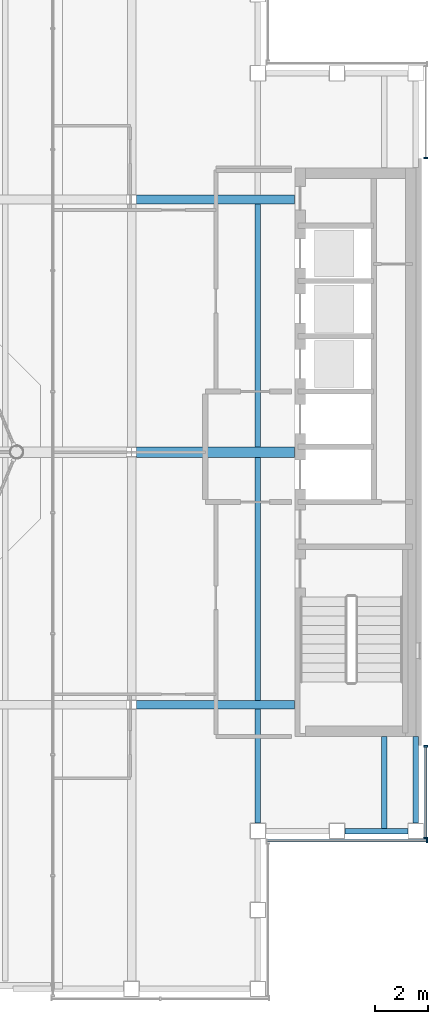
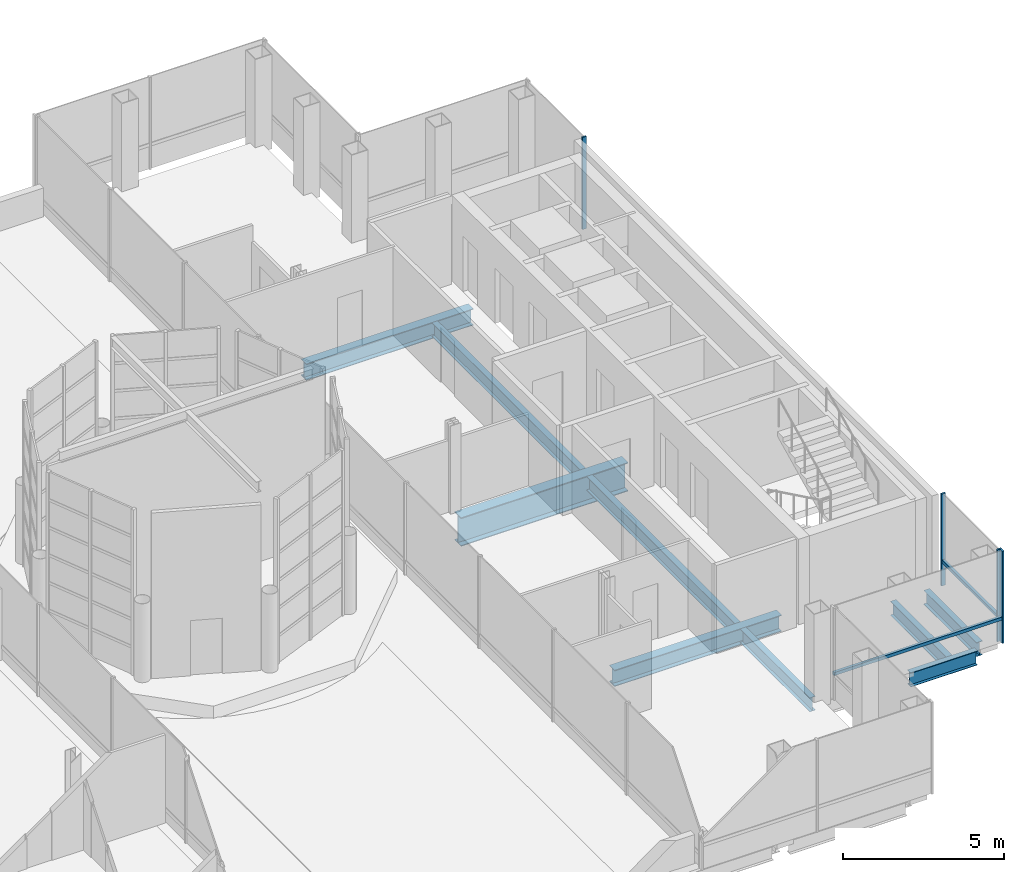
# One storey, part 19 of 32: 9 beams, 6 members, 3 elements without a shape of their own.
"""IFC4 building model written with IfcOpenShell, lengths in metres."""

from ifc_helpers import new_model, si_unit, direction, frame, origin, origin_2d, place, context, subcontext, project, spatial, rectangle, i_section, extrude, material, material_profile, profile_set, type_object, element, aggregate, save


model = new_model("IFC4")

# Units and contexts
model_context = context("Model", 3, precision=1e-05, world=origin(), true_north=direction((0.0, 1.0)))
body_context = subcontext(model_context, "Body", "Model", "MODEL_VIEW")
ifc_project = project(units=[si_unit("LENGTHUNIT", "METRE"), si_unit("AREAUNIT", "SQUARE_METRE"), si_unit("VOLUMEUNIT", "CUBIC_METRE"), si_unit("PLANEANGLEUNIT", "RADIAN"), si_unit("MASSUNIT", "GRAM", prefix="KILO")], contexts=[model_context])

# Site, building, storey
site_placement = place(None, origin())
site = spatial("IfcSite", under=ifc_project, at=site_placement, CompositionType="ELEMENT")
building_placement = place(site_placement, origin())
building = spatial("IfcBuilding", under=site, at=building_placement, Name="Cobrizo Arcos Hotel Tower", CompositionType="ELEMENT")
storey_placement = place(building_placement, frame((0.0, 0.0, 265.5)))
storey = spatial("IfcBuildingStorey", under=building, at=storey_placement, Name="L70", CompositionType="ELEMENT", Elevation=265.5)

# Curtain wall, member
ifc_material_1 = material(Name="Aluminium 6063-T6 anodised bronze", Category="aluminium")
curtain_wall_type = type_object("IfcCurtainWallType", Name="CW-A guest facade", PredefinedType="NOTDEFINED", material=ifc_material_1)
curtain_wall_1_placement = place(storey_placement, origin())
curtain_wall_1 = element("IfcCurtainWall", 1, at=curtain_wall_1_placement, inside=storey, type_object=curtain_wall_type, Name="CW-A L70 S face", PredefinedType="NOTDEFINED")
ifc_material_profile_1 = material_profile(ifc_material_1, rectangle(XDim=0.14990234375, YDim=0.06005859375, at=origin_2d()), Name="CW-A mullion 150x60")
ifc_profile_set_1 = profile_set([ifc_material_profile_1], Name="Aluminium 6063-T6 anodised bronze")
member_type_1 = type_object("IfcMemberType", Name="CW-A mullion 150x60", PredefinedType="MULLION", material=ifc_profile_set_1)
member_1_placement = place(storey_placement, frame((20.820068359375, -14.77490234375, 0.0), z_axis=(0.0, 0.0, 1.0), x_axis=(0.0, -1.0, 0.0)))
member_1 = element("IfcMember", 2, at=member_1_placement, type_object=member_type_1, Name="CW-A mullion 2", PredefinedType="MULLION", context=body_context, shape_type="SweptSolid", body=[
    extrude(rectangle(XDim=0.14990234375, YDim=0.06005859375, at=origin_2d()), origin(), (0.0, 0.0, 1.0), 3.5),
])

# Curtain wall, members
curtain_wall_2_placement = place(storey_placement, origin())
curtain_wall_2 = element("IfcCurtainWall", 3, at=curtain_wall_2_placement, inside=storey, type_object=curtain_wall_type, Name="CW-A L70 E face", PredefinedType="NOTDEFINED")
member_2_placement = place(storey_placement, frame((20.77490234375, -14.669921875, 0.0), z_axis=(0.0, 0.0, 1.0), x_axis=(1.0, 0.0, 0.0)))
member_2 = element("IfcMember", 4, at=member_2_placement, type_object=member_type_1, Name="CW-A mullion 1", PredefinedType="MULLION", context=body_context, shape_type="SweptSolid", body=[
    extrude(rectangle(XDim=0.14990234375, YDim=0.06005859375, at=origin_2d()), origin(), (0.0, 0.0, 1.0), 3.5),
])
member_3_placement = place(storey_placement, frame((20.77490234375, -11.179931640625, 0.0), z_axis=(0.0, 0.0, 1.0), x_axis=(1.0, 0.0, 0.0)))
member_3 = element("IfcMember", 5, at=member_3_placement, type_object=member_type_1, Name="CW-A mullion 2", PredefinedType="MULLION", context=body_context, shape_type="SweptSolid", body=[
    extrude(rectangle(XDim=0.14990234375, YDim=0.06005859375, at=origin_2d()), origin(), (0.0, 0.0, 1.0), 3.5),
])

# Curtain wall, member
curtain_wall_3_placement = place(storey_placement, origin())
curtain_wall_3 = element("IfcCurtainWall", 6, at=curtain_wall_3_placement, inside=storey, type_object=curtain_wall_type, Name="CW-A L70 E face", PredefinedType="NOTDEFINED")
member_4_placement = place(storey_placement, frame((20.77490234375, 11.179931640625, 0.0), z_axis=(0.0, 0.0, 1.0), x_axis=(1.0, 0.0, 0.0)))
member_4 = element("IfcMember", 7, at=member_4_placement, type_object=member_type_1, Name="CW-A mullion 1", PredefinedType="MULLION", context=body_context, shape_type="SweptSolid", body=[
    extrude(rectangle(XDim=0.14990234375, YDim=0.06005859375, at=origin_2d()), origin(), (0.0, 0.0, 1.0), 3.5),
])
aggregate(curtain_wall_3, [member_4])

# Member
ifc_material_profile_2 = material_profile(ifc_material_1, rectangle(XDim=0.10009765625, YDim=0.1201171875, at=origin_2d()), Name="CW-A transom 120x100")
ifc_profile_set_2 = profile_set([ifc_material_profile_2], Name="Aluminium 6063-T6 anodised bronze")
member_type_2 = type_object("IfcMemberType", Name="CW-A transom 120x100", PredefinedType="USERDEFINED", material=ifc_profile_set_2)
member_5_placement = place(storey_placement, frame((14.760009765625, -14.77490234375, 0.929931640625), z_axis=(1.0, 0.0, 0.0), x_axis=(0.0, 1.0, 0.0)))
member_5 = element("IfcMember", 8, at=member_5_placement, type_object=member_type_2, Name="CW-A transom 2194", ObjectType="TRANSOM", PredefinedType="USERDEFINED", context=body_context, shape_type="SweptSolid", body=[
    extrude(rectangle(XDim=0.10009765625, YDim=0.1201171875, at=origin_2d()), origin(), (0.0, 0.0, 1.0), 6.030029296875),
])

aggregate(curtain_wall_1, [member_1, member_5])

member_6_placement = place(storey_placement, frame((20.77490234375, -14.639892578125, 0.929931640625), z_axis=(0.0, 1.0, 0.0), x_axis=(-1.0, 0.0, 0.0)))
member_6 = element("IfcMember", 9, at=member_6_placement, type_object=member_type_2, Name="CW-A transom 2195", ObjectType="TRANSOM", PredefinedType="USERDEFINED", context=body_context, shape_type="SweptSolid", body=[
    extrude(rectangle(XDim=0.10009765625, YDim=0.1201171875, at=origin_2d()), origin(), (0.0, 0.0, 1.0), 3.429931640625),
])

aggregate(curtain_wall_2, [member_2, member_3, member_6])

# Beams
ifc_material_2 = material(Name="Steel ASTM A992 Grade 50", Category="steel")
ifc_material_profile_3 = material_profile(ifc_material_2, i_section(OverallWidth=0.209228515625, OverallDepth=0.533447265625, WebThickness=0.01025390625, FlangeThickness=0.015625, at=origin_2d()), Name="W21X62")
ifc_profile_set_3 = profile_set([ifc_material_profile_3], Name="Steel ASTM A992 Grade 50")
beam_type_1 = type_object("IfcBeamType", Name="W21X62 joist", PredefinedType="JOIST", material=ifc_profile_set_3)
beam_1_placement = place(storey_placement, frame((14.39990234375, -14.10009765625, -0.5166015625), z_axis=(0.0, 1.0, 0.0), x_axis=(-1.0, 0.0, 0.0)))
element("IfcBeam", 10, at=beam_1_placement, inside=storey, type_object=beam_type_1, Name="Floor joist J1, L70, no. 015", PredefinedType="JOIST", context=body_context, shape_type="SweptSolid", body=[
    extrude(i_section(OverallWidth=0.209228515625, OverallDepth=0.533447265625, WebThickness=0.01025390625, FlangeThickness=0.015625, at=origin_2d()), origin(), (0.0, 0.0, 1.0), 4.336181640625),
])
for number, where, z_axis, x_axis, name in (
    (11, (14.39990234375, -9.43603515625, -0.5166015625), (0.0, 1.0, 0.0), (-1.0, 0.0, 0.0), "Floor joist J1, L70, no. 016"),
    (12, (14.39990234375, 0.20068359375, -0.5166015625), (0.0, 1.0, 0.0), (-1.0, 0.0, 0.0), "Floor joist J1, L70, no. 017"),
):
    element("IfcBeam", number, at=place(storey_placement, frame(where, z_axis=z_axis, x_axis=x_axis)), inside=storey, type_object=beam_type_1, Name=name, PredefinedType="JOIST", context=body_context, shape_type="SweptSolid", body=[
        extrude(i_section(OverallWidth=0.209228515625, OverallDepth=0.533447265625, WebThickness=0.01025390625, FlangeThickness=0.015625, at=origin_2d()), origin(), (0.0, 0.0, 1.0), 9.2353515625),
    ])
beam_2_placement = place(storey_placement, frame((19.199951171875, -14.31005859375, -0.5166015625), z_axis=(0.0, 1.0, 0.0), x_axis=(-1.0, 0.0, 0.0)))
element("IfcBeam", 13, at=beam_2_placement, inside=storey, type_object=beam_type_1, Name="Floor joist J1, L70, no. 019", PredefinedType="JOIST", context=body_context, shape_type="SweptSolid", body=[
    extrude(i_section(OverallWidth=0.209228515625, OverallDepth=0.533447265625, WebThickness=0.01025390625, FlangeThickness=0.015625, at=origin_2d()), origin(), (0.0, 0.0, 1.0), 3.5),
])
ifc_material_profile_4 = material_profile(ifc_material_2, i_section(OverallWidth=0.209228515625, OverallDepth=0.533447265625, WebThickness=0.01025390625, FlangeThickness=0.015625, at=origin_2d()), Name="W21X62")
ifc_profile_set_4 = profile_set([ifc_material_profile_4], Name="Steel ASTM A992 Grade 50")
beam_type_2 = type_object("IfcBeamType", Name="W21X62 spandrel", PredefinedType="SPANDREL", material=ifc_profile_set_4)
beam_3_placement = place(storey_placement, frame((20.39990234375, -10.81005859375, -0.5166015625), z_axis=(0.0, -1.0, 0.0), x_axis=(1.0, 0.0, 0.0)))
element("IfcBeam", 14, at=beam_3_placement, inside=storey, type_object=beam_type_2, Name="Spandrel beam W21X62, L70, no. 020", PredefinedType="SPANDREL", context=body_context, shape_type="SweptSolid", body=[
    extrude(i_section(OverallWidth=0.209228515625, OverallDepth=0.533447265625, WebThickness=0.01025390625, FlangeThickness=0.015625, at=origin_2d()), origin(), (0.0, 0.0, 1.0), 3.2900390625),
])
beam_4_placement = place(storey_placement, frame((20.10009765625, -14.39990234375, -0.5166015625), z_axis=(-1.0, 0.0, 0.0), x_axis=(0.0, -1.0, 0.0)))
element("IfcBeam", 15, at=beam_4_placement, inside=storey, type_object=beam_type_2, Name="Spandrel beam W21X62, L70, no. 021", PredefinedType="SPANDREL", context=body_context, shape_type="SweptSolid", body=[
    extrude(i_section(OverallWidth=0.209228515625, OverallDepth=0.533447265625, WebThickness=0.01025390625, FlangeThickness=0.015625, at=origin_2d()), origin(), (0.0, 0.0, 1.0), 2.400146484375),
])
ifc_material_profile_5 = material_profile(ifc_material_2, i_section(OverallWidth=0.32763671875, OverallDepth=0.622314453125, WebThickness=0.015380859375, FlangeThickness=0.0244140625, at=origin_2d()), Name="W24X131")
ifc_profile_set_5 = profile_set([ifc_material_profile_5], Name="Steel ASTM A992 Grade 50")
beam_type_3 = type_object("IfcBeamType", Name="W24X131 girder", PredefinedType="BEAM", material=ifc_profile_set_5)
for number, where, z_axis, x_axis, name in (
    (16, (9.7841796875, -9.60009765625, -0.56103515625), (1.0, 0.0, 0.0), (0.0, 1.0, 0.0), "Floor girder G1, L70, no. 004"),
    (17, (9.7841796875, 9.60009765625, -0.56103515625), (1.0, 0.0, 0.0), (0.0, 1.0, 0.0), "Floor girder G1, L70, no. 008"),
):
    element("IfcBeam", number, at=place(storey_placement, frame(where, z_axis=z_axis, x_axis=x_axis)), inside=storey, type_object=beam_type_3, Name=name, PredefinedType="BEAM", context=body_context, shape_type="SweptSolid", body=[
        extrude(i_section(OverallWidth=0.32763671875, OverallDepth=0.622314453125, WebThickness=0.015380859375, FlangeThickness=0.0244140625, at=origin_2d()), origin(), (0.0, 0.0, 1.0), 6.005859375),
    ])
ifc_material_profile_6 = material_profile(ifc_material_2, i_section(OverallWidth=0.4013671875, OverallDepth=1.089599609375, WebThickness=0.01806640625, FlangeThickness=0.031005859375, at=origin_2d()), Name="W44X230")
ifc_profile_set_6 = profile_set([ifc_material_profile_6], Name="Steel ASTM A992 Grade 50")
beam_type_4 = type_object("IfcBeamType", Name="W44X230 crown transfer girder", PredefinedType="BEAM", material=ifc_profile_set_6)
beam_5_placement = place(storey_placement, frame((9.7841796875, 0.0, -0.794921875), z_axis=(1.0, 0.0, 0.0), x_axis=(0.0, 1.0, 0.0)))
element("IfcBeam", 18, at=beam_5_placement, inside=storey, type_object=beam_type_4, Name="Crown transfer girder CG1, L70, no. 004", PredefinedType="BEAM", context=body_context, shape_type="SweptSolid", body=[
    extrude(i_section(OverallWidth=0.4013671875, OverallDepth=1.089599609375, WebThickness=0.01806640625, FlangeThickness=0.031005859375, at=origin_2d()), origin(), (0.0, 0.0, 1.0), 6.005859375),
])

save(model, "model.ifc")
